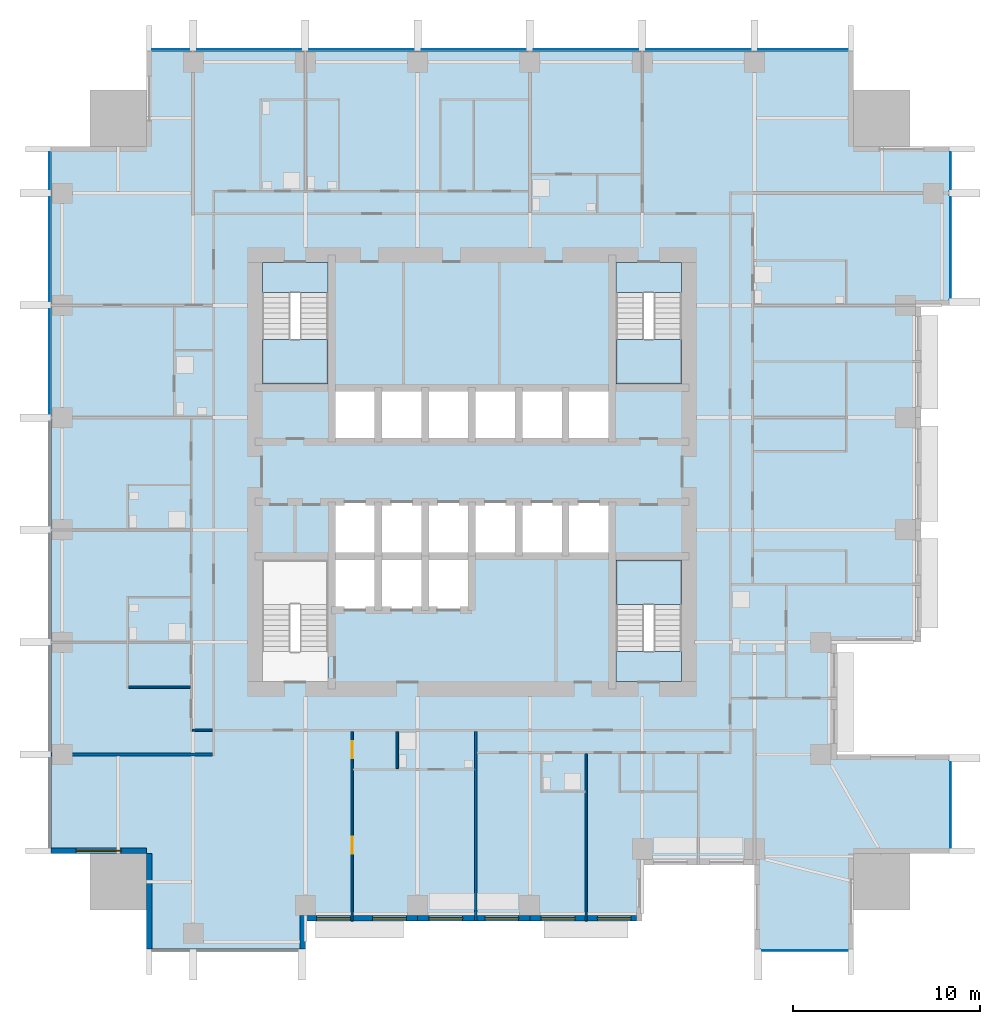
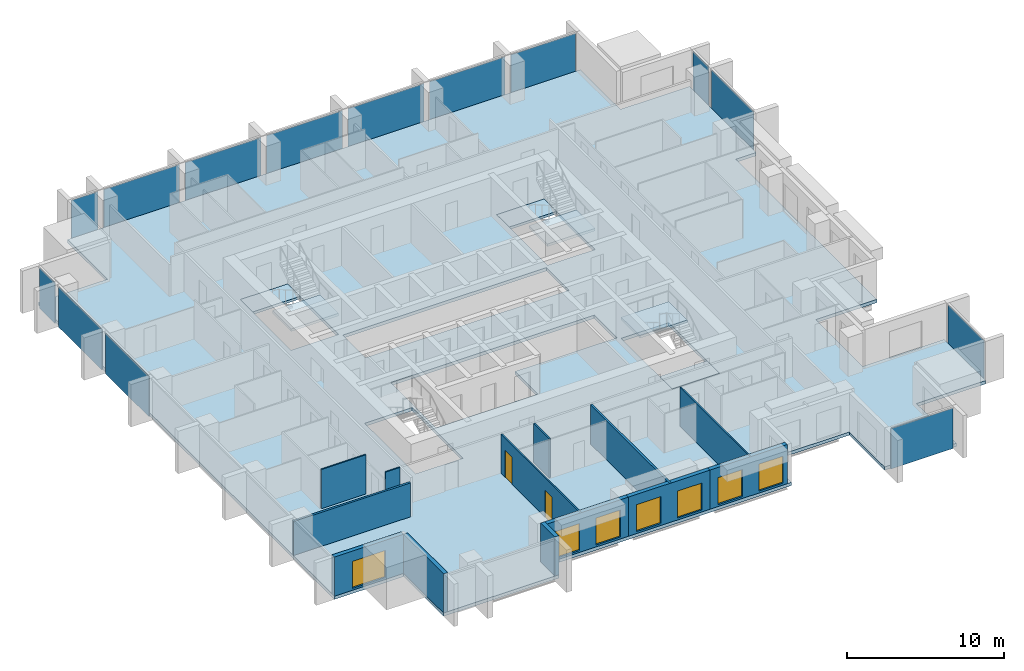
# One storey, part 3 of 10: 14 plates, 13 walls, 7 slabs, 7 windows, 2 doors, 9 openings, 8 elements without a shape of their own.
"""IFC4 building model written with IfcOpenShell, lengths in metres."""

from ifc_helpers import new_model, si_unit, direction, frame, frame_2d, origin, origin_2d, place, context, subcontext, project, spatial, polyline, rectangle, outline, extrude, material, layer, layer_set, type_object, element, fill, aggregate, save


model = new_model("IFC4")

# Units and contexts
model_context = context("Model", 3, precision=1e-05, world=origin(), true_north=direction((0.0, 1.0)))
body_context = subcontext(model_context, "Body", "Model", "MODEL_VIEW")
ifc_project = project(units=[si_unit("LENGTHUNIT", "METRE"), si_unit("AREAUNIT", "SQUARE_METRE"), si_unit("VOLUMEUNIT", "CUBIC_METRE"), si_unit("PLANEANGLEUNIT", "RADIAN"), si_unit("MASSUNIT", "GRAM", prefix="KILO")], contexts=[model_context])

# Site, building, storey
site_placement = place(None, origin())
site = spatial("IfcSite", under=ifc_project, at=site_placement, CompositionType="ELEMENT")
building_placement = place(site_placement, origin())
building = spatial("IfcBuilding", under=site, at=building_placement, Name="Amberfall Residences", CompositionType="ELEMENT")
storey_placement = place(building_placement, frame((0.0, 0.0, 85.300048828125)))
storey = spatial("IfcBuildingStorey", under=building, at=storey_placement, Name="L22", CompositionType="ELEMENT", Elevation=85.300048828125)

# Curtain wall, plate
ifc_material_1 = material(Name="Bronze anodised aluminium and glass", Category="aluminium")
curtain_wall_type = type_object("IfcCurtainWallType", Name="Curtain wall CW1 tower unit", PredefinedType="USERDEFINED", material=ifc_material_1)
curtain_wall_1_placement = place(storey_placement, origin())
curtain_wall_1 = element("IfcCurtainWall", 1, at=curtain_wall_1_placement, inside=storey, type_object=curtain_wall_type, Name="Curtain wall L22 S S9", ObjectType="UNITISED CURTAIN WALL", PredefinedType="USERDEFINED")
ifc_material_2 = material(Name="Tinted double glazed unit", Category="glass")
ifc_layer_1 = layer(ifc_material_2, 0.035888671875)
ifc_layer_set_1 = layer_set([ifc_layer_1], Name="CW1 panel 36 glazing")
plate_type = type_object("IfcPlateType", Name="CW1 panel 36 glazing", PredefinedType="CURTAIN_PANEL", material=ifc_layer_set_1)
plate_1_placement = place(storey_placement, frame((92.300048828125, 19.925048828125, -0.25), z_axis=(0.0, 0.0, 1.0), x_axis=(1.0, 0.0, 0.0)))
plate_1 = element("IfcPlate", 2, at=plate_1_placement, type_object=plate_type, Name="CW1 panel 1.1", PredefinedType="CURTAIN_PANEL", context=body_context, shape_type="SweptSolid", body=[
    extrude(rectangle(XDim=4.575927734375, YDim=0.035888671875, at=origin_2d()), origin(), (0.0, 0.0, 1.0), 3.14990234375),
])
aggregate(curtain_wall_1, [plate_1])

curtain_wall_2_placement = place(storey_placement, origin())
curtain_wall_2 = element("IfcCurtainWall", 3, at=curtain_wall_2_placement, inside=storey, type_object=curtain_wall_type, Name="Curtain wall L22 E E1", ObjectType="UNITISED CURTAIN WALL", PredefinedType="USERDEFINED")
plate_2_placement = place(storey_placement, frame((100.074951171875, 27.699951171875, -0.25), z_axis=(0.0, 0.0, 1.0), x_axis=(0.0, 1.0, 0.0)))
plate_2 = element("IfcPlate", 4, at=plate_2_placement, type_object=plate_type, Name="CW1 panel 1.1", PredefinedType="CURTAIN_PANEL", context=body_context, shape_type="SweptSolid", body=[
    extrude(rectangle(XDim=4.575927734375, YDim=0.035888671875, at=origin_2d()), origin(), (0.0, 0.0, 1.0), 3.14990234375),
])
aggregate(curtain_wall_2, [plate_2])

# Curtain wall, plates
curtain_wall_3_placement = place(storey_placement, origin())
curtain_wall_3 = element("IfcCurtainWall", 5, at=curtain_wall_3_placement, inside=storey, type_object=curtain_wall_type, Name="Curtain wall L22 E E9", ObjectType="UNITISED CURTAIN WALL", PredefinedType="USERDEFINED")
plate_3_placement = place(storey_placement, frame((100.074951171875, 57.5, -0.25), z_axis=(0.0, 0.0, 1.0), x_axis=(0.0, 1.0, 0.0)))
plate_3 = element("IfcPlate", 6, at=plate_3_placement, type_object=plate_type, Name="CW1 panel 1.1", PredefinedType="CURTAIN_PANEL", context=body_context, shape_type="SweptSolid", body=[
    extrude(rectangle(XDim=5.3759765625, YDim=0.035888671875, at=origin_2d()), origin(), (0.0, 0.0, 1.0), 3.14990234375),
])
plate_4_placement = place(storey_placement, frame((100.074951171875, 61.60009765625, -0.25), z_axis=(0.0, 0.0, 1.0), x_axis=(0.0, 1.0, 0.0)))
plate_4 = element("IfcPlate", 7, at=plate_4_placement, type_object=plate_type, Name="CW1 panel 2.1", PredefinedType="CURTAIN_PANEL", context=body_context, shape_type="SweptSolid", body=[
    extrude(rectangle(XDim=1.97607421875, YDim=0.035888671875, at=origin_2d()), origin(), (0.0, 0.0, 1.0), 3.14990234375),
])
aggregate(curtain_wall_3, [plate_3, plate_4])

curtain_wall_4_placement = place(storey_placement, origin())
curtain_wall_4 = element("IfcCurtainWall", 8, at=curtain_wall_4_placement, inside=storey, type_object=curtain_wall_type, Name="Curtain wall L22 N N1", ObjectType="UNITISED CURTAIN WALL", PredefinedType="USERDEFINED")
plate_5_placement = place(storey_placement, frame((92.199951171875, 68.074951171875, -0.25), z_axis=(0.0, 0.0, 1.0), x_axis=(-1.0, 0.0, 0.0)))
plate_5 = element("IfcPlate", 9, at=plate_5_placement, type_object=plate_type, Name="CW1 panel 1.1", PredefinedType="CURTAIN_PANEL", context=body_context, shape_type="SweptSolid", body=[
    extrude(rectangle(XDim=4.77587890625, YDim=0.035888671875, at=origin_2d()), origin(), (0.0, 0.0, 1.0), 3.14990234375),
])
plate_6_placement = place(storey_placement, frame((86.60009765625, 68.074951171875, -0.25), z_axis=(0.0, 0.0, 1.0), x_axis=(-1.0, 0.0, 0.0)))
plate_6 = element("IfcPlate", 10, at=plate_6_placement, type_object=plate_type, Name="CW1 panel 2.1", PredefinedType="CURTAIN_PANEL", context=body_context, shape_type="SweptSolid", body=[
    extrude(rectangle(XDim=5.575927734375, YDim=0.035888671875, at=origin_2d()), origin(), (0.0, 0.0, 1.0), 3.14990234375),
])
plate_7_placement = place(storey_placement, frame((80.60009765625, 68.074951171875, -0.25), z_axis=(0.0, 0.0, 1.0), x_axis=(-1.0, 0.0, 0.0)))
plate_7 = element("IfcPlate", 11, at=plate_7_placement, type_object=plate_type, Name="CW1 panel 3.1", PredefinedType="CURTAIN_PANEL", context=body_context, shape_type="SweptSolid", body=[
    extrude(rectangle(XDim=5.575927734375, YDim=0.035888671875, at=origin_2d()), origin(), (0.0, 0.0, 1.0), 3.14990234375),
])
plate_8_placement = place(storey_placement, frame((74.60009765625, 68.074951171875, -0.25), z_axis=(0.0, 0.0, 1.0), x_axis=(-1.0, 0.0, 0.0)))
plate_8 = element("IfcPlate", 12, at=plate_8_placement, type_object=plate_type, Name="CW1 panel 4.1", PredefinedType="CURTAIN_PANEL", context=body_context, shape_type="SweptSolid", body=[
    extrude(rectangle(XDim=5.575927734375, YDim=0.035888671875, at=origin_2d()), origin(), (0.0, 0.0, 1.0), 3.14990234375),
])
plate_9_placement = place(storey_placement, frame((68.60009765625, 68.074951171875, -0.25), z_axis=(0.0, 0.0, 1.0), x_axis=(-1.0, 0.0, 0.0)))
plate_9 = element("IfcPlate", 13, at=plate_9_placement, type_object=plate_type, Name="CW1 panel 5.1", PredefinedType="CURTAIN_PANEL", context=body_context, shape_type="SweptSolid", body=[
    extrude(rectangle(XDim=5.575927734375, YDim=0.035888671875, at=origin_2d()), origin(), (0.0, 0.0, 1.0), 3.14990234375),
])
plate_10_placement = place(storey_placement, frame((62.60009765625, 68.074951171875, -0.25), z_axis=(0.0, 0.0, 1.0), x_axis=(-1.0, 0.0, 0.0)))
plate_10 = element("IfcPlate", 14, at=plate_10_placement, type_object=plate_type, Name="CW1 panel 6.1", PredefinedType="CURTAIN_PANEL", context=body_context, shape_type="SweptSolid", body=[
    extrude(rectangle(XDim=5.575927734375, YDim=0.035888671875, at=origin_2d()), origin(), (0.0, 0.0, 1.0), 3.14990234375),
])
plate_11_placement = place(storey_placement, frame((58.39990234375, 68.074951171875, -0.25), z_axis=(0.0, 0.0, 1.0), x_axis=(-1.0, 0.0, 0.0)))
plate_11 = element("IfcPlate", 15, at=plate_11_placement, type_object=plate_type, Name="CW1 panel 7.1", PredefinedType="CURTAIN_PANEL", context=body_context, shape_type="SweptSolid", body=[
    extrude(rectangle(XDim=1.97607421875, YDim=0.035888671875, at=origin_2d()), origin(), (0.0, 0.0, 1.0), 3.14990234375),
])
aggregate(curtain_wall_4, [plate_5, plate_6, plate_7, plate_8, plate_9, plate_10, plate_11])

curtain_wall_5_placement = place(storey_placement, origin())
curtain_wall_5 = element("IfcCurtainWall", 16, at=curtain_wall_5_placement, inside=storey, type_object=curtain_wall_type, Name="Curtain wall L22 W W1", ObjectType="UNITISED CURTAIN WALL", PredefinedType="USERDEFINED")
plate_12_placement = place(storey_placement, frame((51.925048828125, 61.60009765625, -0.25), z_axis=(0.0, 0.0, 1.0), x_axis=(0.0, -1.0, 0.0)))
plate_12 = element("IfcPlate", 17, at=plate_12_placement, type_object=plate_type, Name="CW1 panel 1.1", PredefinedType="CURTAIN_PANEL", context=body_context, shape_type="SweptSolid", body=[
    extrude(rectangle(XDim=1.97607421875, YDim=0.035888671875, at=origin_2d()), origin(), (0.0, 0.0, 1.0), 3.14990234375),
])
plate_13_placement = place(storey_placement, frame((51.925048828125, 57.39990234375, -0.25), z_axis=(0.0, 0.0, 1.0), x_axis=(0.0, -1.0, 0.0)))
plate_13 = element("IfcPlate", 18, at=plate_13_placement, type_object=plate_type, Name="CW1 panel 2.1", PredefinedType="CURTAIN_PANEL", context=body_context, shape_type="SweptSolid", body=[
    extrude(rectangle(XDim=5.575927734375, YDim=0.035888671875, at=origin_2d()), origin(), (0.0, 0.0, 1.0), 3.14990234375),
])
plate_14_placement = place(storey_placement, frame((51.925048828125, 51.39990234375, -0.25), z_axis=(0.0, 0.0, 1.0), x_axis=(0.0, -1.0, 0.0)))
plate_14 = element("IfcPlate", 19, at=plate_14_placement, type_object=plate_type, Name="CW1 panel 3.1", PredefinedType="CURTAIN_PANEL", context=body_context, shape_type="SweptSolid", body=[
    extrude(rectangle(XDim=5.575927734375, YDim=0.035888671875, at=origin_2d()), origin(), (0.0, 0.0, 1.0), 3.14990234375),
])
aggregate(curtain_wall_5, [plate_12, plate_13, plate_14])

# Slab
ifc_material_3 = material(Name="Concrete C70", Category="concrete")
ifc_layer_2 = layer(ifc_material_3, 0.25)
ifc_layer_set_2 = layer_set([ifc_layer_2], Name="Floor slab 250 C70")
slab_type_1 = type_object("IfcSlabType", Name="Floor slab 250 C70", PredefinedType="FLOOR", material=ifc_layer_set_2)
slab_1_placement = place(storey_placement, frame((0.0, 0.0, -0.25)))
element("IfcSlab", 20, at=slab_1_placement, inside=storey, type_object=slab_type_1, Name="Floor slab S7 L22", PredefinedType="FLOOR", context=body_context, shape_type="SweptSolid", body=[
    extrude(outline(polyline([(89.60009765625, 20.0), (89.60009765625, 24.5), (83.60009765625, 24.5), (83.60009765625, 21.5), (77.60009765625, 21.5), (71.60009765625, 21.5), (65.60009765625, 21.5), (65.60009765625, 20.0), (57.10009765625, 20.0), (57.10009765625, 25.10009765625), (52.0, 25.10009765625), (52.0, 62.89990234375), (57.10009765625, 62.89990234375), (57.10009765625, 68.0), (94.89990234375, 68.0), (94.89990234375, 62.89990234375), (100.0, 62.89990234375), (100.0, 54.39990234375), (98.5, 54.39990234375), (98.5, 48.39990234375), (98.5, 42.39990234375), (98.5, 36.39990234375), (94.0, 36.39990234375), (94.0, 30.39990234375), (100.0, 30.39990234375), (100.0, 25.10009765625), (94.89990234375, 25.10009765625), (94.89990234375, 20.0), (89.60009765625, 20.0)]), holes=[polyline([(85.699951171875, 34.300048828125), (85.699951171875, 40.800048828125), (82.199951171875, 40.800048828125), (82.199951171875, 34.300048828125), (85.699951171875, 34.300048828125)]), polyline([(82.199951171875, 50.199951171875), (85.699951171875, 50.199951171875), (85.699951171875, 56.699951171875), (82.199951171875, 56.699951171875), (82.199951171875, 50.199951171875)]), polyline([(69.5, 50.0), (67.0, 50.0), (67.0, 47.10009765625), (69.5, 47.10009765625), (72.0, 47.10009765625), (74.5, 47.10009765625), (77.0, 47.10009765625), (79.5, 47.10009765625), (82.0, 47.10009765625), (82.0, 50.0), (79.5, 50.0), (77.0, 50.0), (74.5, 50.0), (72.0, 50.0), (69.5, 50.0)]), polyline([(74.5, 41.0), (77.0, 41.0), (79.5, 41.0), (82.0, 41.0), (82.0, 43.89990234375), (79.5, 43.89990234375), (77.0, 43.89990234375), (74.5, 43.89990234375), (72.0, 43.89990234375), (69.5, 43.89990234375), (67.0, 43.89990234375), (67.0, 41.0), (67.0, 38.10009765625), (69.5, 38.10009765625), (72.0, 38.10009765625), (74.5, 38.10009765625), (74.5, 41.0)]), polyline([(66.800048828125, 34.300048828125), (66.800048828125, 40.800048828125), (63.300048828125, 40.800048828125), (63.300048828125, 34.300048828125), (66.800048828125, 34.300048828125)]), polyline([(66.800048828125, 50.199951171875), (66.800048828125, 56.699951171875), (63.300048828125, 56.699951171875), (63.300048828125, 50.199951171875), (66.800048828125, 50.199951171875)])]), origin(), (0.0, 0.0, 1.0), 0.25),
])

# Stair, slabs
ifc_material_4 = material(Name="Concrete C40", Category="concrete")
stair_type = type_object("IfcStairType", Name="Exit stair 20 risers 165.0 mm", PredefinedType="HALF_TURN_STAIR", material=ifc_material_4)
stair_1_placement = place(storey_placement, origin())
stair_1 = element("IfcStair", 21, at=stair_1_placement, inside=storey, type_object=stair_type, Name="L22 Exit stair 2", PredefinedType="HALF_TURN_STAIR")
ifc_layer_3 = layer(ifc_material_4, 0.199951171875)
ifc_layer_set_3 = layer_set([ifc_layer_3], Name="Stair landing 200")
slab_type_2 = type_object("IfcSlabType", Name="Stair landing 200", PredefinedType="LANDING", material=ifc_layer_set_3)
slab_2_placement = place(storey_placement, frame((0.0, 0.0, 1.449951171875)))
slab_2 = element("IfcSlab", 22, at=slab_2_placement, type_object=slab_type_2, Name="ST3 landing 1", PredefinedType="LANDING", context=body_context, shape_type="SweptSolid", body=[
    extrude(outline(polyline([(85.699951171875, 38.419921875), (85.699951171875, 40.800048828125), (82.199951171875, 40.800048828125), (82.199951171875, 38.419921875), (85.699951171875, 38.419921875)])), origin(), (0.0, 0.0, 1.0), 0.199951171875),
])
slab_3_placement = place(storey_placement, frame((0.0, 0.0, -0.199951171875)))
slab_3 = element("IfcSlab", 23, at=slab_3_placement, type_object=slab_type_2, Name="ST3 landing 2", PredefinedType="LANDING", context=body_context, shape_type="SweptSolid", body=[
    extrude(outline(polyline([(85.699951171875, 34.300048828125), (85.699951171875, 35.89990234375), (82.199951171875, 35.89990234375), (82.199951171875, 34.300048828125), (85.699951171875, 34.300048828125)])), origin(), (0.0, 0.0, 1.0), 0.199951171875),
])
aggregate(stair_1, [slab_2, slab_3])

stair_2_placement = place(storey_placement, origin())
stair_2 = element("IfcStair", 24, at=stair_2_placement, inside=storey, type_object=stair_type, Name="L22 Exit stair 3", PredefinedType="HALF_TURN_STAIR")
slab_4_placement = place(storey_placement, frame((0.0, 0.0, 1.449951171875)))
slab_4 = element("IfcSlab", 25, at=slab_4_placement, type_object=slab_type_2, Name="ST3 landing 1", PredefinedType="LANDING", context=body_context, shape_type="SweptSolid", body=[
    extrude(outline(polyline([(82.199951171875, 52.580078125), (82.199951171875, 50.199951171875), (85.699951171875, 50.199951171875), (85.699951171875, 52.580078125), (82.199951171875, 52.580078125)])), origin(), (0.0, 0.0, 1.0), 0.199951171875),
])
slab_5_placement = place(storey_placement, frame((0.0, 0.0, -0.199951171875)))
slab_5 = element("IfcSlab", 26, at=slab_5_placement, type_object=slab_type_2, Name="ST3 landing 2", PredefinedType="LANDING", context=body_context, shape_type="SweptSolid", body=[
    extrude(outline(polyline([(82.199951171875, 56.699951171875), (82.199951171875, 55.10009765625), (85.699951171875, 55.10009765625), (85.699951171875, 56.699951171875), (82.199951171875, 56.699951171875)])), origin(), (0.0, 0.0, 1.0), 0.199951171875),
])
aggregate(stair_2, [slab_4, slab_5])

stair_3_placement = place(storey_placement, origin())
stair_3 = element("IfcStair", 27, at=stair_3_placement, inside=storey, type_object=stair_type, Name="L22 Exit stair 4", PredefinedType="HALF_TURN_STAIR")
slab_6_placement = place(storey_placement, frame((0.0, 0.0, 1.449951171875)))
slab_6 = element("IfcSlab", 28, at=slab_6_placement, type_object=slab_type_2, Name="ST3 landing 1", PredefinedType="LANDING", context=body_context, shape_type="SweptSolid", body=[
    extrude(outline(polyline([(63.300048828125, 52.580078125), (63.300048828125, 50.199951171875), (66.800048828125, 50.199951171875), (66.800048828125, 52.580078125), (63.300048828125, 52.580078125)])), origin(), (0.0, 0.0, 1.0), 0.199951171875),
])
slab_7_placement = place(storey_placement, frame((0.0, 0.0, -0.199951171875)))
slab_7 = element("IfcSlab", 29, at=slab_7_placement, type_object=slab_type_2, Name="ST3 landing 2", PredefinedType="LANDING", context=body_context, shape_type="SweptSolid", body=[
    extrude(outline(polyline([(63.300048828125, 56.699951171875), (63.300048828125, 55.10009765625), (66.800048828125, 55.10009765625), (66.800048828125, 56.699951171875), (63.300048828125, 56.699951171875)])), origin(), (0.0, 0.0, 1.0), 0.199951171875),
])
aggregate(stair_3, [slab_6, slab_7])

# Wall
ifc_material_5 = material(Name="Pale stone cladding on insulated backing", Category="masonry")
ifc_layer_4 = layer(ifc_material_5, 0.300048828125)
ifc_layer_set_4 = layer_set([ifc_layer_4], Name="Bronze clad wall 300")
wall_type_1 = type_object("IfcWallType", Name="Bronze clad wall 300", PredefinedType="SOLIDWALL", material=ifc_layer_set_4)
wall_1_placement = place(storey_placement, frame((65.449951171875, 20.0, 0.0), z_axis=(0.0, 0.0, 1.0), x_axis=(0.0, 1.0, 0.0)))
element("IfcWall", 30, at=wall_1_placement, inside=storey, type_object=wall_type_1, Name="External wall L22 S", PredefinedType="SOLIDWALL", context=body_context, shape_type="SweptSolid", body=[
    extrude(rectangle(XDim=1.800048828125, YDim=0.300048828125, at=frame_2d((0.89990234375, 0.0))), origin(), (0.0, 0.0, 1.0), 3.050048828125),
])

# Wall, opening, window
wall_2_placement = place(storey_placement, frame((52.0, 25.25, 0.0), z_axis=(0.0, 0.0, 1.0), x_axis=(1.0, 0.0, 0.0)))
wall_2 = element("IfcWall", 31, at=wall_2_placement, inside=storey, type_object=wall_type_1, Name="External wall L22 SW", PredefinedType="SOLIDWALL", context=body_context, shape_type="SweptSolid", body=[
    extrude(rectangle(XDim=5.10009765625, YDim=0.300048828125, at=frame_2d((2.550048828125, 0.0))), origin(), (0.0, 0.0, 1.0), 3.050048828125),
])
opening_1_placement = place(wall_2_placement, frame((1.35009765625, 0.0, 0.14990234375)))
opening_1 = element("IfcOpeningElement", 32, at=opening_1_placement, cuts=wall_2, Name="Opening WN5", PredefinedType="OPENING", context=body_context, shape_type="SweptSolid", body=[
    extrude(rectangle(XDim=2.39990234375, YDim=2.10009765625, at=frame_2d((1.199951171875, 1.050048828125))), frame((0.0, 0.159912109375, 0.0), z_axis=(0.0, -1.0, 0.0), x_axis=(1.0, 0.0, 0.0)), (0.0, 0.0, 1.0), 0.320068359375),
])
ifc_material_6 = material(Name="Bronze aluminium framed glazing", Category="aluminium")
window_type_1 = type_object("IfcWindowType", Name="Glazed opening 2400 x 2100 bronze", PartitioningType="DOUBLE_PANEL_VERTICAL", PredefinedType="WINDOW", material=ifc_material_6)
window_1_placement = place(opening_1_placement, origin())
window_1 = element("IfcWindow", 33, at=window_1_placement, inside=storey, type_object=window_type_1, Name="Window L22 SW", OverallHeight=2.10009765625, OverallWidth=2.39990234375, PartitioningType="DOUBLE_PANEL_VERTICAL", PredefinedType="WINDOW", context=body_context, shape_type="SweptSolid", body=[
    extrude(rectangle(XDim=2.39990234375, YDim=2.10009765625, at=frame_2d((1.199951171875, 1.050048828125))), frame((0.0, 0.030029296875, 0.0), z_axis=(0.0, -1.0, 0.0), x_axis=(1.0, 0.0, 0.0)), (0.0, 0.0, 1.0), 0.06005859375),
])
fill(opening_1, window_1)

# Wall
wall_3_placement = place(storey_placement, frame((57.25, 25.10009765625, 0.0), z_axis=(0.0, 0.0, 1.0), x_axis=(0.0, -1.0, 0.0)))
element("IfcWall", 34, at=wall_3_placement, inside=storey, type_object=wall_type_1, Name="External wall L22 SW", PredefinedType="SOLIDWALL", context=body_context, shape_type="SweptSolid", body=[
    extrude(rectangle(XDim=5.10009765625, YDim=0.300048828125, at=frame_2d((2.550048828125, 0.0))), origin(), (0.0, 0.0, 1.0), 3.050048828125),
])

# Wall, openings, windows
wall_4_placement = place(storey_placement, frame((65.60009765625, 21.64990234375, 0.0), z_axis=(0.0, 0.0, 1.0), x_axis=(1.0, 0.0, 0.0)))
wall_4 = element("IfcWall", 35, at=wall_4_placement, inside=storey, type_object=wall_type_1, Name="Stone wall L22 S", PredefinedType="SOLIDWALL", context=body_context, shape_type="SweptSolid", body=[
    extrude(rectangle(XDim=6.0, YDim=0.300048828125, at=frame_2d((3.0, 0.0))), origin(), (0.0, 0.0, 1.0), 3.050048828125),
])
opening_2_placement = place(wall_4_placement, frame((0.60009765625, 0.0, 0.14990234375)))
opening_2 = element("IfcOpeningElement", 36, at=opening_2_placement, cuts=wall_4, Name="Opening WN6", PredefinedType="OPENING", context=body_context, shape_type="SweptSolid", body=[
    extrude(rectangle(XDim=1.800048828125, YDim=2.10009765625, at=frame_2d((0.89990234375, 1.050048828125))), frame((0.0, 0.159912109375, 0.0), z_axis=(0.0, -1.0, 0.0), x_axis=(1.0, 0.0, 0.0)), (0.0, 0.0, 1.0), 0.320068359375),
])
opening_3_placement = place(wall_4_placement, frame((3.60009765625, 0.0, 0.14990234375)))
opening_3 = element("IfcOpeningElement", 37, at=opening_3_placement, cuts=wall_4, Name="Opening WN6", PredefinedType="OPENING", context=body_context, shape_type="SweptSolid", body=[
    extrude(rectangle(XDim=1.800048828125, YDim=2.10009765625, at=frame_2d((0.89990234375, 1.050048828125))), frame((0.0, 0.159912109375, 0.0), z_axis=(0.0, -1.0, 0.0), x_axis=(1.0, 0.0, 0.0)), (0.0, 0.0, 1.0), 0.320068359375),
])
window_type_2 = type_object("IfcWindowType", Name="Glazed opening 1800 x 2100 bronze", PartitioningType="DOUBLE_PANEL_VERTICAL", PredefinedType="WINDOW", material=ifc_material_6)
window_2_placement = place(opening_2_placement, origin())
window_2 = element("IfcWindow", 38, at=window_2_placement, inside=storey, type_object=window_type_2, Name="Window L22 S", OverallHeight=2.10009765625, OverallWidth=1.800048828125, PartitioningType="DOUBLE_PANEL_VERTICAL", PredefinedType="WINDOW", context=body_context, shape_type="SweptSolid", body=[
    extrude(rectangle(XDim=1.800048828125, YDim=2.10009765625, at=frame_2d((0.89990234375, 1.050048828125))), frame((0.0, 0.030029296875, 0.0), z_axis=(0.0, -1.0, 0.0), x_axis=(1.0, 0.0, 0.0)), (0.0, 0.0, 1.0), 0.06005859375),
])
fill(opening_2, window_2)
window_3_placement = place(opening_3_placement, origin())
window_3 = element("IfcWindow", 39, at=window_3_placement, inside=storey, type_object=window_type_2, Name="Window L22 S", OverallHeight=2.10009765625, OverallWidth=1.800048828125, PartitioningType="DOUBLE_PANEL_VERTICAL", PredefinedType="WINDOW", context=body_context, shape_type="SweptSolid", body=[
    extrude(rectangle(XDim=1.800048828125, YDim=2.10009765625, at=frame_2d((0.89990234375, 1.050048828125))), frame((0.0, 0.030029296875, 0.0), z_axis=(0.0, -1.0, 0.0), x_axis=(1.0, 0.0, 0.0)), (0.0, 0.0, 1.0), 0.06005859375),
])
fill(opening_3, window_3)

wall_5_placement = place(storey_placement, frame((71.60009765625, 21.64990234375, 0.0), z_axis=(0.0, 0.0, 1.0), x_axis=(1.0, 0.0, 0.0)))
wall_5 = element("IfcWall", 40, at=wall_5_placement, inside=storey, type_object=wall_type_1, Name="Stone wall L22 S", PredefinedType="SOLIDWALL", context=body_context, shape_type="SweptSolid", body=[
    extrude(rectangle(XDim=6.0, YDim=0.300048828125, at=frame_2d((3.0, 0.0))), origin(), (0.0, 0.0, 1.0), 3.050048828125),
])
opening_4_placement = place(wall_5_placement, frame((0.60009765625, 0.0, 0.14990234375)))
opening_4 = element("IfcOpeningElement", 41, at=opening_4_placement, cuts=wall_5, Name="Opening WN6", PredefinedType="OPENING", context=body_context, shape_type="SweptSolid", body=[
    extrude(rectangle(XDim=1.800048828125, YDim=2.10009765625, at=frame_2d((0.89990234375, 1.050048828125))), frame((0.0, 0.159912109375, 0.0), z_axis=(0.0, -1.0, 0.0), x_axis=(1.0, 0.0, 0.0)), (0.0, 0.0, 1.0), 0.320068359375),
])
opening_5_placement = place(wall_5_placement, frame((3.60009765625, 0.0, 0.14990234375)))
opening_5 = element("IfcOpeningElement", 42, at=opening_5_placement, cuts=wall_5, Name="Opening WN6", PredefinedType="OPENING", context=body_context, shape_type="SweptSolid", body=[
    extrude(rectangle(XDim=1.800048828125, YDim=2.10009765625, at=frame_2d((0.89990234375, 1.050048828125))), frame((0.0, 0.159912109375, 0.0), z_axis=(0.0, -1.0, 0.0), x_axis=(1.0, 0.0, 0.0)), (0.0, 0.0, 1.0), 0.320068359375),
])
window_4_placement = place(opening_4_placement, origin())
window_4 = element("IfcWindow", 43, at=window_4_placement, inside=storey, type_object=window_type_2, Name="Window L22 S", OverallHeight=2.10009765625, OverallWidth=1.800048828125, PartitioningType="DOUBLE_PANEL_VERTICAL", PredefinedType="WINDOW", context=body_context, shape_type="SweptSolid", body=[
    extrude(rectangle(XDim=1.800048828125, YDim=2.10009765625, at=frame_2d((0.89990234375, 1.050048828125))), frame((0.0, 0.030029296875, 0.0), z_axis=(0.0, -1.0, 0.0), x_axis=(1.0, 0.0, 0.0)), (0.0, 0.0, 1.0), 0.06005859375),
])
fill(opening_4, window_4)
window_5_placement = place(opening_5_placement, origin())
window_5 = element("IfcWindow", 44, at=window_5_placement, inside=storey, type_object=window_type_2, Name="Window L22 S", OverallHeight=2.10009765625, OverallWidth=1.800048828125, PartitioningType="DOUBLE_PANEL_VERTICAL", PredefinedType="WINDOW", context=body_context, shape_type="SweptSolid", body=[
    extrude(rectangle(XDim=1.800048828125, YDim=2.10009765625, at=frame_2d((0.89990234375, 1.050048828125))), frame((0.0, 0.030029296875, 0.0), z_axis=(0.0, -1.0, 0.0), x_axis=(1.0, 0.0, 0.0)), (0.0, 0.0, 1.0), 0.06005859375),
])
fill(opening_5, window_5)

wall_6_placement = place(storey_placement, frame((77.60009765625, 21.64990234375, 0.0), z_axis=(0.0, 0.0, 1.0), x_axis=(1.0, 0.0, 0.0)))
wall_6 = element("IfcWall", 45, at=wall_6_placement, inside=storey, type_object=wall_type_1, Name="Stone wall L22 S", PredefinedType="SOLIDWALL", context=body_context, shape_type="SweptSolid", body=[
    extrude(rectangle(XDim=5.699951171875, YDim=0.300048828125, at=frame_2d((2.85009765625, 0.0))), origin(), (0.0, 0.0, 1.0), 3.050048828125),
])
opening_6_placement = place(wall_6_placement, frame((0.60009765625, 0.0, 0.14990234375)))
opening_6 = element("IfcOpeningElement", 46, at=opening_6_placement, cuts=wall_6, Name="Opening WN6", PredefinedType="OPENING", context=body_context, shape_type="SweptSolid", body=[
    extrude(rectangle(XDim=1.800048828125, YDim=2.10009765625, at=frame_2d((0.89990234375, 1.050048828125))), frame((0.0, 0.159912109375, 0.0), z_axis=(0.0, -1.0, 0.0), x_axis=(1.0, 0.0, 0.0)), (0.0, 0.0, 1.0), 0.320068359375),
])
opening_7_placement = place(wall_6_placement, frame((3.60009765625, 0.0, 0.14990234375)))
opening_7 = element("IfcOpeningElement", 47, at=opening_7_placement, cuts=wall_6, Name="Opening WN6", PredefinedType="OPENING", context=body_context, shape_type="SweptSolid", body=[
    extrude(rectangle(XDim=1.800048828125, YDim=2.10009765625, at=frame_2d((0.89990234375, 1.050048828125))), frame((0.0, 0.159912109375, 0.0), z_axis=(0.0, -1.0, 0.0), x_axis=(1.0, 0.0, 0.0)), (0.0, 0.0, 1.0), 0.320068359375),
])
window_6_placement = place(opening_6_placement, origin())
window_6 = element("IfcWindow", 48, at=window_6_placement, inside=storey, type_object=window_type_2, Name="Window L22 S", OverallHeight=2.10009765625, OverallWidth=1.800048828125, PartitioningType="DOUBLE_PANEL_VERTICAL", PredefinedType="WINDOW", context=body_context, shape_type="SweptSolid", body=[
    extrude(rectangle(XDim=1.800048828125, YDim=2.10009765625, at=frame_2d((0.89990234375, 1.050048828125))), frame((0.0, 0.030029296875, 0.0), z_axis=(0.0, -1.0, 0.0), x_axis=(1.0, 0.0, 0.0)), (0.0, 0.0, 1.0), 0.06005859375),
])
fill(opening_6, window_6)
window_7_placement = place(opening_7_placement, origin())
window_7 = element("IfcWindow", 49, at=window_7_placement, inside=storey, type_object=window_type_2, Name="Window L22 S", OverallHeight=2.10009765625, OverallWidth=1.800048828125, PartitioningType="DOUBLE_PANEL_VERTICAL", PredefinedType="WINDOW", context=body_context, shape_type="SweptSolid", body=[
    extrude(rectangle(XDim=1.800048828125, YDim=2.10009765625, at=frame_2d((0.89990234375, 1.050048828125))), frame((0.0, 0.030029296875, 0.0), z_axis=(0.0, -1.0, 0.0), x_axis=(1.0, 0.0, 0.0)), (0.0, 0.0, 1.0), 0.06005859375),
])
fill(opening_7, window_7)

# Wall, openings, doors
ifc_material_7 = material(Name="Gypsum board on metal stud")
ifc_layer_5 = layer(ifc_material_7, 0.10009765625)
ifc_layer_set_5 = layer_set([ifc_layer_5], Name="Flat partition 100")
wall_type_2 = type_object("IfcWallType", Name="Flat partition 100", PredefinedType="PARTITIONING", material=ifc_layer_set_5)
wall_7_placement = place(storey_placement, frame((68.10009765625, 31.625, 0.0), z_axis=(0.0, 0.0, 1.0), x_axis=(0.0, -1.0, 0.0)))
wall_7 = element("IfcWall", 50, at=wall_7_placement, inside=storey, type_object=wall_type_2, Name="Partition 009", PredefinedType="PARTITIONING", context=body_context, shape_type="SweptSolid", body=[
    extrude(rectangle(XDim=10.125, YDim=0.10009765625, at=frame_2d((5.0625, 0.0))), origin(), (0.0, 0.0, 1.0), 3.050048828125),
])
opening_8_placement = place(wall_7_placement, frame((0.52490234375, 0.0, 0.0)))
opening_8 = element("IfcOpeningElement", 51, at=opening_8_placement, cuts=wall_7, Name="Opening D41", PredefinedType="OPENING", context=body_context, shape_type="SweptSolid", body=[
    extrude(rectangle(XDim=0.89990234375, YDim=2.10009765625, at=frame_2d((0.449951171875, 1.050048828125))), frame((0.0, 0.06005859375, 0.0), z_axis=(0.0, -1.0, 0.0), x_axis=(1.0, 0.0, 0.0)), (0.0, 0.0, 1.0), 0.1201171875),
])
opening_9_placement = place(wall_7_placement, frame((5.625, 0.0, 0.0)))
opening_9 = element("IfcOpeningElement", 52, at=opening_9_placement, cuts=wall_7, Name="Opening D41", PredefinedType="OPENING", context=body_context, shape_type="SweptSolid", body=[
    extrude(rectangle(XDim=0.89990234375, YDim=2.10009765625, at=frame_2d((0.449951171875, 1.050048828125))), frame((0.0, 0.06005859375, 0.0), z_axis=(0.0, -1.0, 0.0), x_axis=(1.0, 0.0, 0.0)), (0.0, 0.0, 1.0), 0.1201171875),
])
ifc_material_8 = material(Name="Timber", Category="wood")
door_type = type_object("IfcDoorType", Name="Internal door 900 x 2100", OperationType="SINGLE_SWING_LEFT", PredefinedType="DOOR", material=ifc_material_8)
door_1_placement = place(opening_8_placement, origin())
door_1 = element("IfcDoor", 53, at=door_1_placement, inside=storey, type_object=door_type, Name="Door 2201 kitchen", OperationType="SINGLE_SWING_LEFT", OverallHeight=2.10009765625, OverallWidth=0.89990234375, PredefinedType="DOOR", context=body_context, shape_type="SweptSolid", body=[
    extrude(rectangle(XDim=0.89990234375, YDim=2.10009765625, at=frame_2d((0.449951171875, 1.050048828125))), frame((0.0, 0.02490234375, 0.0), z_axis=(0.0, -1.0, 0.0), x_axis=(1.0, 0.0, 0.0)), (0.0, 0.0, 1.0), 0.050048828125),
])
fill(opening_8, door_1)
door_2_placement = place(opening_9_placement, origin())
door_2 = element("IfcDoor", 54, at=door_2_placement, inside=storey, type_object=door_type, Name="Door 2201 bedroom1", OperationType="SINGLE_SWING_LEFT", OverallHeight=2.10009765625, OverallWidth=0.89990234375, PredefinedType="DOOR", context=body_context, shape_type="SweptSolid", body=[
    extrude(rectangle(XDim=0.89990234375, YDim=2.10009765625, at=frame_2d((0.449951171875, 1.050048828125))), frame((0.0, 0.02490234375, 0.0), z_axis=(0.0, -1.0, 0.0), x_axis=(1.0, 0.0, 0.0)), (0.0, 0.0, 1.0), 0.050048828125),
])
fill(opening_9, door_2)

# Walls
wall_8_placement = place(storey_placement, frame((70.5, 29.64990234375, 0.0), z_axis=(0.0, 0.0, 1.0), x_axis=(0.0, 1.0, 0.0)))
element("IfcWall", 55, at=wall_8_placement, inside=storey, type_object=wall_type_2, Name="Partition 010", PredefinedType="PARTITIONING", context=body_context, shape_type="SweptSolid", body=[
    extrude(rectangle(XDim=1.97509765625, YDim=0.10009765625, at=frame_2d((0.987548828125, 0.0))), origin(), (0.0, 0.0, 1.0), 3.050048828125),
])
wall_9_placement = place(storey_placement, frame((80.60009765625, 21.5, 0.0), z_axis=(0.0, 0.0, 1.0), x_axis=(0.0, 1.0, 0.0)))
element("IfcWall", 56, at=wall_9_placement, inside=storey, type_object=wall_type_2, Name="Partition 014", PredefinedType="PARTITIONING", context=body_context, shape_type="SweptSolid", body=[
    extrude(rectangle(XDim=8.949951171875, YDim=0.10009765625, at=frame_2d((4.47509765625, 0.0))), origin(), (0.0, 0.0, 1.0), 3.050048828125),
])
wall_10_placement = place(storey_placement, frame((56.14990234375, 34.0, 0.0), z_axis=(0.0, 0.0, 1.0), x_axis=(1.0, 0.0, 0.0)))
element("IfcWall", 57, at=wall_10_placement, inside=storey, type_object=wall_type_2, Name="Partition 044", PredefinedType="PARTITIONING", context=body_context, shape_type="SweptSolid", body=[
    extrude(rectangle(XDim=3.300048828125, YDim=0.10009765625, at=frame_2d((1.64990234375, 0.0))), origin(), (0.0, 0.0, 1.0), 3.050048828125),
])
wall_11_placement = place(storey_placement, frame((59.550048828125, 31.699951171875, 0.0), z_axis=(0.0, 0.0, 1.0), x_axis=(1.0, 0.0, 0.0)))
element("IfcWall", 58, at=wall_11_placement, inside=storey, type_object=wall_type_2, Name="Partition 046", PredefinedType="PARTITIONING", context=body_context, shape_type="SweptSolid", body=[
    extrude(rectangle(XDim=1.074951171875, YDim=0.10009765625, at=frame_2d((0.53759765625, 0.0))), origin(), (0.0, 0.0, 1.0), 3.050048828125),
])
ifc_material_9 = material(Name="Blockwork, plastered", Category="masonry")
ifc_layer_6 = layer(ifc_material_9, 0.14990234375)
ifc_layer_set_6 = layer_set([ifc_layer_6], Name="Flat separating wall 150")
wall_type_3 = type_object("IfcWallType", Name="Flat separating wall 150", PredefinedType="PARTITIONING", material=ifc_layer_set_6)
wall_12_placement = place(storey_placement, frame((74.699951171875, 21.5, 0.0), z_axis=(0.0, 0.0, 1.0), x_axis=(0.0, 1.0, 0.0)))
element("IfcWall", 59, at=wall_12_placement, inside=storey, type_object=wall_type_3, Name="Separating wall 053", PredefinedType="PARTITIONING", context=body_context, shape_type="SweptSolid", body=[
    extrude(rectangle(XDim=10.125, YDim=0.14990234375, at=frame_2d((5.0625, 0.0))), origin(), (0.0, 0.0, 1.0), 3.050048828125),
])
wall_13_placement = place(storey_placement, frame((52.0, 30.39990234375, 0.0), z_axis=(0.0, 0.0, 1.0), x_axis=(1.0, 0.0, 0.0)))
element("IfcWall", 60, at=wall_13_placement, inside=storey, type_object=wall_type_3, Name="Separating wall 062", PredefinedType="PARTITIONING", context=body_context, shape_type="SweptSolid", body=[
    extrude(rectangle(XDim=8.625, YDim=0.14990234375, at=frame_2d((4.3125, 0.0))), origin(), (0.0, 0.0, 1.0), 2.64697265625),
])

save(model, "model.ifc")
